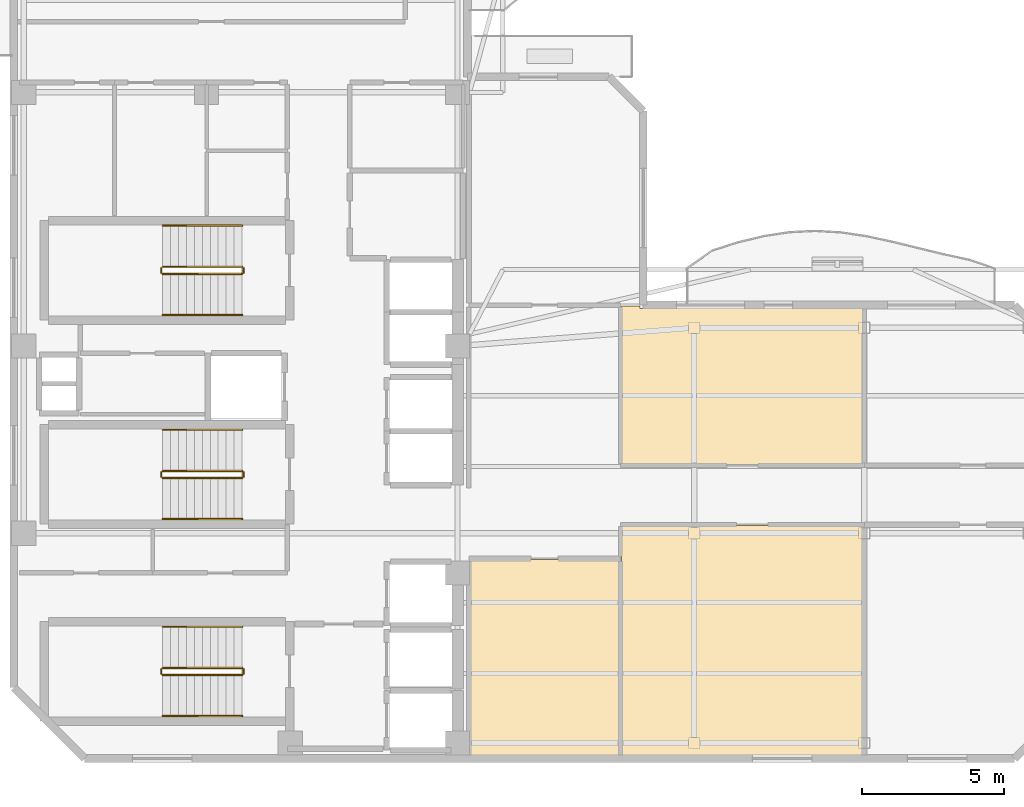
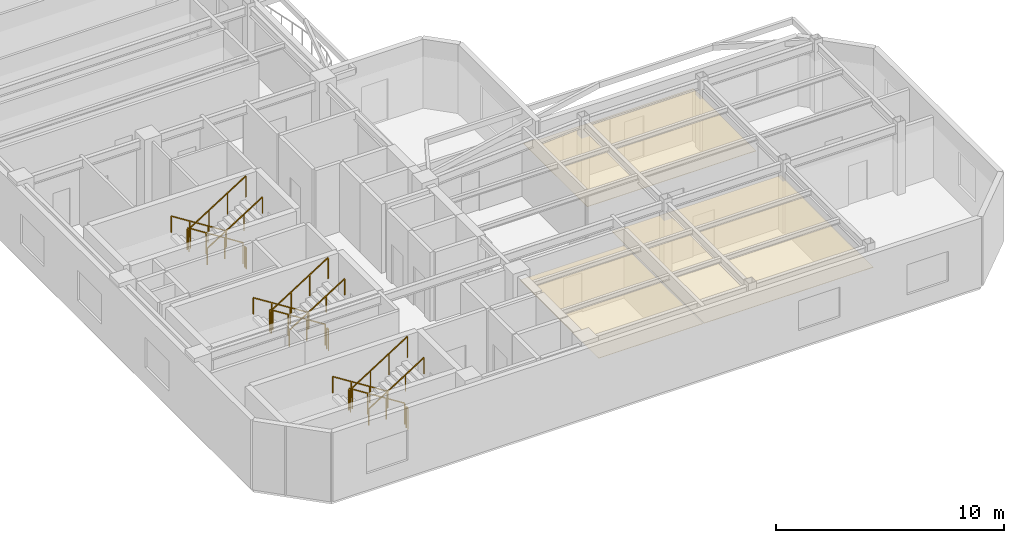
# One storey, part 6 of 8: 18 railings, 3 coverings.
"""IFC4 building model written with IfcOpenShell, lengths in metres."""

import ifcopenshell
import ifcopenshell.guid

model = None  # the IFC model being written
_history = None  # IfcOwnerHistory: only IFC2X3 demands one
_inside = {}  # id of a spatial element -> (the spatial element, [elements in it])
_under = {}  # id of a project, library or spatial element -> (it, [spatial elements below it])
_declared = {}  # id of a project -> (the project, [libraries it declares])
_typed = {}  # id of a type object -> (the type object, [elements of that type])
_made_of = {}  # id of a material, layer set ... -> (it, [elements and type objects made of it])


def new_model(schema):
    """Start an empty IFC model of exactly this schema.

    Asked for "IFC4X3", IfcOpenShell would pick the latest addendum, in which some entities
    have other attributes; the version numbers below select the first issue.
    IFC2X3 requires an IfcOwnerHistory on every rooted entity: one is made here for all.
    """
    global model, _history
    if schema == "IFC4X3":
        model = ifcopenshell.file(schema_version=(4, 3, 0, 0))
    else:
        model = ifcopenshell.file(schema=schema)
    _inside.clear()
    _under.clear()
    _declared.clear()
    _typed.clear()
    _made_of.clear()
    _history = None
    if model.schema == "IFC2X3":
        org = make("IfcOrganization", Name="unknown")
        user = make(
            "IfcPersonAndOrganization",
            ThePerson=make("IfcPerson", FamilyName="unknown"),
            TheOrganization=org,
        )
        app = make(
            "IfcApplication",
            ApplicationDeveloper=org,
            Version="unknown",
            ApplicationFullName="unknown",
            ApplicationIdentifier="unknown",
        )
        _history = make(
            "IfcOwnerHistory",
            OwningUser=user,
            OwningApplication=app,
            ChangeAction="ADDED",
            CreationDate=0,
        )
    return model


def make(cls, **values):
    """One entity of the class cls with the attributes given. An attribute that is None is left unset."""
    return model.create_entity(
        cls, **{name: value for name, value in values.items() if value is not None}
    )


def rooted(cls, **values):
    """An entity with a GlobalId (a new one), such as an element, a storey or a relation."""
    return make(cls, GlobalId=ifcopenshell.guid.new(), OwnerHistory=_history, **values)


def si_unit(unit_type, name, prefix=None):
    """IfcSIUnit, for example si_unit("LENGTHUNIT", "METRE", prefix="MILLI")."""
    return make("IfcSIUnit", UnitType=unit_type, Prefix=prefix, Name=name)


def assignment(units):
    """IfcUnitAssignment: the units of a project."""
    return None if units is None else make("IfcUnitAssignment", Units=units)


def point(xyz):
    """IfcCartesianPoint."""
    return None if xyz is None else make("IfcCartesianPoint", Coordinates=xyz)


def direction(xyz):
    """IfcDirection."""
    return None if xyz is None else make("IfcDirection", DirectionRatios=xyz)


def frame(location, z_axis=None, x_axis=None):
    """IfcAxis2Placement3D, a coordinate frame: its origin and axes. An axis left out is left unset."""
    return make(
        "IfcAxis2Placement3D",
        Location=point(location),
        Axis=direction(z_axis),
        RefDirection=direction(x_axis),
    )


def frame_2d(location, x_axis=None):
    """IfcAxis2Placement2D, a coordinate frame in the plane: its origin and x axis."""
    return make(
        "IfcAxis2Placement2D", Location=point(location), RefDirection=direction(x_axis)
    )


def origin():
    """The frame at (0, 0, 0) with its axes left unset."""
    return frame((0.0, 0.0, 0.0))


def origin_2d():
    """The frame at (0, 0) in the plane with its x axis left unset."""
    return frame_2d((0.0, 0.0))


def place(relative_to, where):
    """IfcLocalPlacement: puts the frame where relative to a parent placement (None: the world)."""
    return make(
        "IfcLocalPlacement", PlacementRelTo=relative_to, RelativePlacement=where
    )


def context(
    kind, dimensions, precision=None, world=None, true_north=None, identifier=None
):
    """IfcGeometricRepresentationContext, for example the 3D "Model" context."""
    return make(
        "IfcGeometricRepresentationContext",
        ContextIdentifier=identifier,
        ContextType=kind,
        CoordinateSpaceDimension=dimensions,
        Precision=precision,
        WorldCoordinateSystem=world,
        TrueNorth=true_north,
    )


def subcontext(parent, identifier, kind, view, scale=None):
    """IfcGeometricRepresentationSubContext, for example "Body" below "Model"."""
    return make(
        "IfcGeometricRepresentationSubContext",
        ContextIdentifier=identifier,
        ContextType=kind,
        ParentContext=parent,
        TargetScale=scale,
        TargetView=view,
    )


def project(units=None, contexts=None):
    """IfcProject with its units and contexts."""
    return rooted(
        "IfcProject",
        Name="project",
        RepresentationContexts=contexts,
        UnitsInContext=assignment(units),
    )


def spatial(cls, under=None, at=None, **own):
    """A site, building, storey or space (cls), placed at a placement, below another one or the project."""
    s = rooted(cls, ObjectPlacement=at, **own)
    if under is not None:
        _under.setdefault(under.id(), (under, []))[1].append(s)
    return s


def polyline(points):
    """IfcPolyline through the points."""
    return make("IfcPolyline", Points=[point(p) for p in points])


def profile(cls, at=None, kind="AREA", **sizes):
    """A parametric profile (cls). Its sizes go by their IFC names, for example OverallWidth=200.0."""
    return make(cls, ProfileType=kind, Position=at, **sizes)


def rectangle(**sizes):
    """IfcRectangleProfileDef."""
    return profile("IfcRectangleProfileDef", **sizes)


def outline(outer, holes=None, kind="AREA"):
    """IfcArbitraryClosedProfileDef: a profile drawn as a closed curve; with holes, ...WithVoids."""
    if holes is None:
        return make("IfcArbitraryClosedProfileDef", ProfileType=kind, OuterCurve=outer)
    return make(
        "IfcArbitraryProfileDefWithVoids",
        ProfileType=kind,
        OuterCurve=outer,
        InnerCurves=holes,
    )


def extrude(swept, where, along, depth):
    """IfcExtrudedAreaSolid: the profile swept, set in the frame where, extruded along a direction by depth."""
    return make(
        "IfcExtrudedAreaSolid",
        SweptArea=swept,
        Position=where,
        ExtrudedDirection=direction(along),
        Depth=depth,
    )


def shape(context_of_items, identifier, shape_type, items):
    """IfcShapeRepresentation: the items that make up one representation, for example the "Body"."""
    return make(
        "IfcShapeRepresentation",
        ContextOfItems=context_of_items,
        RepresentationIdentifier=identifier,
        RepresentationType=shape_type,
        Items=items,
    )


def material(Name=None, Category=None):
    """IfcMaterial."""
    return make("IfcMaterial", Name=Name, Category=Category)


def layer(
    of_material, thickness, ventilated=None, Name=None, Category=None, Priority=None
):
    """IfcMaterialLayer: one layer of a wall or slab, of a material (None: an air gap)."""
    return make(
        "IfcMaterialLayer",
        Material=of_material,
        LayerThickness=thickness,
        IsVentilated=ventilated,
        Name=Name,
        Category=Category,
        Priority=Priority,
    )


def layer_set(layers, Name=None):
    """IfcMaterialLayerSet."""
    return make("IfcMaterialLayerSet", MaterialLayers=layers, LayerSetName=Name)


def made_of(thing, what):
    """Note that an element or type object is made of a material, layer set ...; save() writes the relation."""
    if what is not None:
        _made_of.setdefault(what.id(), (what, []))[1].append(thing)
    return thing


def type_object(cls, material=None, **own):
    """A type object (cls), such as IfcWallType, which elements share."""
    return made_of(rooted(cls, **own), material)


def element(
    cls,
    number,
    at=None,
    inside=None,
    cuts=None,
    type_object=None,
    material=None,
    context=None,
    identifier="Body",
    shape_type=None,
    held_by="IfcProductDefinitionShape",
    body=None,
    shapes=None,
    **own,
):
    """One element of the class cls, such as IfcWall. Its Tag is "e" and its number.

    at: its placement. inside: the storey or other place that contains it. cuts: it is an
    opening in that element (IfcRelVoidsElement). A single representation is given by context,
    identifier, shape_type and body (its items); several are given by shapes. held_by: the class
    of the entity that holds the representations. save() writes the other relations.
    """
    e = rooted(cls, Tag="e%d" % number, ObjectPlacement=at, **own)
    if body is not None:
        shapes = [shape(context, identifier, shape_type, body)]
    if shapes is not None:
        e.Representation = make(held_by, Representations=shapes)
    if inside is not None:
        _inside.setdefault(inside.id(), (inside, []))[1].append(e)
    if cuts is not None:
        rooted(
            "IfcRelVoidsElement", RelatingBuildingElement=cuts, RelatedOpeningElement=e
        )
    if type_object is not None:
        _typed.setdefault(type_object.id(), (type_object, []))[1].append(e)
    return made_of(e, material)


def aggregate(whole, parts):
    """IfcRelAggregates: a whole, such as a stair, and the parts it consists of."""
    return rooted("IfcRelAggregates", RelatingObject=whole, RelatedObjects=parts)


def save(model, path):
    """Write the relations noted so far, then the file.

    IfcRelAggregates (storeys below a building ...), IfcRelContainedInSpatialStructure (elements
    in a storey), IfcRelDefinesByType, IfcRelAssociatesMaterial and IfcRelDeclares: one each for
    every whole, place, type object, material and project.
    """
    for whole, parts in _under.values():
        aggregate(whole, parts)
    for where, things in _inside.values():
        rooted(
            "IfcRelContainedInSpatialStructure",
            RelatedElements=things,
            RelatingStructure=where,
        )
    for kind, things in _typed.values():
        rooted("IfcRelDefinesByType", RelatedObjects=things, RelatingType=kind)
    for what, things in _made_of.values():
        rooted("IfcRelAssociatesMaterial", RelatedObjects=things, RelatingMaterial=what)
    for by, libraries in _declared.values():
        rooted("IfcRelDeclares", RelatingContext=by, RelatedDefinitions=libraries)
    model.write(path)


model = new_model("IFC4")

# Units and contexts
model_context = context("Model", 3, precision=1e-05, world=origin(), true_north=direction((0.0, 1.0)))
body_context = subcontext(model_context, "Body", "Model", "MODEL_VIEW")
ifc_project = project(units=[si_unit("LENGTHUNIT", "METRE"), si_unit("AREAUNIT", "SQUARE_METRE"), si_unit("VOLUMEUNIT", "CUBIC_METRE"), si_unit("PLANEANGLEUNIT", "RADIAN"), si_unit("MASSUNIT", "GRAM", prefix="KILO")], contexts=[model_context])

# Site, building, storey
site_placement = place(None, origin())
site = spatial("IfcSite", under=ifc_project, at=site_placement, CompositionType="ELEMENT")
building_placement = place(site_placement, origin())
building = spatial("IfcBuilding", under=site, at=building_placement, Name="Mawjaban Terraces University", CompositionType="ELEMENT")
storey_placement = place(building_placement, frame((0.0, 0.0, 259.89990234375)))
storey = spatial("IfcBuildingStorey", under=building, at=storey_placement, Name="L63", CompositionType="ELEMENT", Elevation=259.89990234375)

# Coverings
ifc_material_1 = material(Name="Acoustic mineral fibre ceiling tile", Category="masonry")
ifc_layer = layer(ifc_material_1, 0.02001953125)
ifc_layer_set = layer_set([ifc_layer], Name="Acoustic mineral fibre ceiling tile")
covering_type = type_object("IfcCoveringType", Name="AcousticMineralCeiling_20", PredefinedType="CEILING", material=ifc_layer_set)
covering_1_placement = place(storey_placement, frame((0.0, 0.0, 2.75)))
element("IfcCovering", 1, at=covering_1_placement, inside=storey, type_object=covering_type, Name="L63 Design Studio 1 Acoustic Ceiling", PredefinedType="CEILING", context=body_context, shape_type="SweptSolid", body=[
    extrude(outline(polyline([(38.080078125, 7.02001953125), (38.080078125, 0.114990234375), (43.3701171875, 0.114990234375), (43.3701171875, 7.02001953125), (38.080078125, 7.02001953125)])), origin(), (0.0, 0.0, 1.0), 0.02001953125),
])
covering_2_placement = place(storey_placement, frame((0.0, 0.0, 2.75)))
element("IfcCovering", 2, at=covering_2_placement, inside=storey, type_object=covering_type, Name="L63 Computational Laboratory 2 Acoustic Ceiling", PredefinedType="CEILING", context=body_context, shape_type="SweptSolid", body=[
    extrude(outline(polyline([(43.429931640625, 0.114990234375), (51.969970703125, 0.114990234375), (51.969970703125, 8.219970703125), (43.429931640625, 8.219970703125), (43.429931640625, 0.114990234375)])), origin(), (0.0, 0.0, 1.0), 0.02001953125),
])
covering_3_placement = place(storey_placement, frame((0.0, 0.0, 2.75)))
element("IfcCovering", 3, at=covering_3_placement, inside=storey, type_object=covering_type, Name="L63 Teaching Laboratory 3 Acoustic Ceiling", PredefinedType="CEILING", context=body_context, shape_type="SweptSolid", body=[
    extrude(outline(polyline([(51.969970703125, 15.885009765625), (44.0849609375, 15.885009765625), (44.0849609375, 15.969970703125), (43.429931640625, 15.969970703125), (43.429931640625, 10.3798828125), (51.969970703125, 10.3798828125), (51.969970703125, 15.885009765625)])), origin(), (0.0, 0.0, 1.0), 0.02001953125),
])

# Railings
ifc_material_2 = material(Name="Brushed stainless steel 316", Category="steel")
railing_type_1 = type_object("IfcRailingType", Name="StairWallHandrail_900", PredefinedType="HANDRAIL", material=ifc_material_2)
railing_1_placement = place(storey_placement, frame((30.050048828125, 4.64990234375, 0.177490234375)))
element("IfcRailing", 4, at=railing_1_placement, inside=storey, type_object=railing_type_1, Name="L63 ST-1 stair handrail 1", PredefinedType="HANDRAIL", context=body_context, shape_type="SweptSolid", body=[
    extrude(rectangle(XDim=0.048095703125, YDim=0.048095703125, at=origin_2d()), frame((0.0, 0.0, 0.8759765625), z_axis=(-0.844908973607, 0.0, 0.534910110503), x_axis=(0.0, -1.0, 0.0)), (0.0, 0.0, 1.0), 3.31396484375),
    extrude(rectangle(XDim=0.0419921875, YDim=0.0419921875, at=origin_2d()), origin(), (0.0, 0.0, 1.0), 0.851806640625),
    extrude(rectangle(XDim=0.0419921875, YDim=0.0419921875, at=origin_2d()), frame((-0.933349609375, 0.0, 0.5908203125)), (0.0, 0.0, 1.0), 0.851806640625),
    extrude(rectangle(XDim=0.0419921875, YDim=0.0419921875, at=origin_2d()), frame((-1.86669921875, 0.0, 1.181884765625)), (0.0, 0.0, 1.0), 0.851806640625),
    extrude(rectangle(XDim=0.0419921875, YDim=0.0419921875, at=origin_2d()), frame((-2.800048828125, 0.0, 1.772705078125)), (0.0, 0.0, 1.0), 0.851806640625),
])
railing_2_placement = place(storey_placement, frame((27.25, 1.5, 2.12744140625)))
element("IfcRailing", 5, at=railing_2_placement, inside=storey, type_object=railing_type_1, Name="L63 ST-1 stair handrail 2", PredefinedType="HANDRAIL", context=body_context, shape_type="SweptSolid", body=[
    extrude(rectangle(XDim=0.048095703125, YDim=0.048095703125, at=origin_2d()), frame((0.0, 0.0, 0.8759765625), z_axis=(0.844908973607, 0.0, 0.534910110503), x_axis=(0.0, 1.0, 0.0)), (0.0, 0.0, 1.0), 3.31396484375),
    extrude(rectangle(XDim=0.0419921875, YDim=0.0419921875, at=origin_2d()), origin(), (0.0, 0.0, 1.0), 0.851806640625),
    extrude(rectangle(XDim=0.0419921875, YDim=0.0419921875, at=origin_2d()), frame((0.933349609375, 0.0, 0.5908203125)), (0.0, 0.0, 1.0), 0.851806640625),
    extrude(rectangle(XDim=0.0419921875, YDim=0.0419921875, at=origin_2d()), frame((1.86669921875, 0.0, 1.181884765625)), (0.0, 0.0, 1.0), 0.851806640625),
    extrude(rectangle(XDim=0.0419921875, YDim=0.0419921875, at=origin_2d()), frame((2.800048828125, 0.0, 1.772705078125)), (0.0, 0.0, 1.0), 0.851806640625),
])
railing_3_placement = place(storey_placement, frame((30.050048828125, 18.800048828125, 0.177490234375)))
element("IfcRailing", 6, at=railing_3_placement, inside=storey, type_object=railing_type_1, Name="L63 ST-2 stair handrail 1", PredefinedType="HANDRAIL", context=body_context, shape_type="SweptSolid", body=[
    extrude(rectangle(XDim=0.048095703125, YDim=0.048095703125, at=origin_2d()), frame((0.0, 0.0, 0.8759765625), z_axis=(-0.844908973607, 0.0, 0.534910110503), x_axis=(0.0, -1.0, 0.0)), (0.0, 0.0, 1.0), 3.31396484375),
    extrude(rectangle(XDim=0.0419921875, YDim=0.0419921875, at=origin_2d()), origin(), (0.0, 0.0, 1.0), 0.851806640625),
    extrude(rectangle(XDim=0.0419921875, YDim=0.0419921875, at=origin_2d()), frame((-0.933349609375, 0.0, 0.5908203125)), (0.0, 0.0, 1.0), 0.851806640625),
    extrude(rectangle(XDim=0.0419921875, YDim=0.0419921875, at=origin_2d()), frame((-1.86669921875, 0.0, 1.181884765625)), (0.0, 0.0, 1.0), 0.851806640625),
    extrude(rectangle(XDim=0.0419921875, YDim=0.0419921875, at=origin_2d()), frame((-2.800048828125, 0.0, 1.772705078125)), (0.0, 0.0, 1.0), 0.851806640625),
])
railing_4_placement = place(storey_placement, frame((27.25, 15.64990234375, 2.12744140625)))
element("IfcRailing", 7, at=railing_4_placement, inside=storey, type_object=railing_type_1, Name="L63 ST-2 stair handrail 2", PredefinedType="HANDRAIL", context=body_context, shape_type="SweptSolid", body=[
    extrude(rectangle(XDim=0.048095703125, YDim=0.048095703125, at=origin_2d()), frame((0.0, 0.0, 0.8759765625), z_axis=(0.844908973607, 0.0, 0.534910110503), x_axis=(0.0, 1.0, 0.0)), (0.0, 0.0, 1.0), 3.31396484375),
    extrude(rectangle(XDim=0.0419921875, YDim=0.0419921875, at=origin_2d()), origin(), (0.0, 0.0, 1.0), 0.851806640625),
    extrude(rectangle(XDim=0.0419921875, YDim=0.0419921875, at=origin_2d()), frame((0.933349609375, 0.0, 0.5908203125)), (0.0, 0.0, 1.0), 0.851806640625),
    extrude(rectangle(XDim=0.0419921875, YDim=0.0419921875, at=origin_2d()), frame((1.86669921875, 0.0, 1.181884765625)), (0.0, 0.0, 1.0), 0.851806640625),
    extrude(rectangle(XDim=0.0419921875, YDim=0.0419921875, at=origin_2d()), frame((2.800048828125, 0.0, 1.772705078125)), (0.0, 0.0, 1.0), 0.851806640625),
])
railing_5_placement = place(storey_placement, frame((30.050048828125, 11.60009765625, 0.177490234375)))
element("IfcRailing", 8, at=railing_5_placement, inside=storey, type_object=railing_type_1, Name="L63 ST-3 stair handrail 1", PredefinedType="HANDRAIL", context=body_context, shape_type="SweptSolid", body=[
    extrude(rectangle(XDim=0.048095703125, YDim=0.048095703125, at=origin_2d()), frame((0.0, 0.0, 0.8759765625), z_axis=(-0.844908973607, 0.0, 0.534910110503), x_axis=(0.0, -1.0, 0.0)), (0.0, 0.0, 1.0), 3.31396484375),
    extrude(rectangle(XDim=0.0419921875, YDim=0.0419921875, at=origin_2d()), origin(), (0.0, 0.0, 1.0), 0.851806640625),
    extrude(rectangle(XDim=0.0419921875, YDim=0.0419921875, at=origin_2d()), frame((-0.933349609375, 0.0, 0.5908203125)), (0.0, 0.0, 1.0), 0.851806640625),
    extrude(rectangle(XDim=0.0419921875, YDim=0.0419921875, at=origin_2d()), frame((-1.86669921875, 0.0, 1.181884765625)), (0.0, 0.0, 1.0), 0.851806640625),
    extrude(rectangle(XDim=0.0419921875, YDim=0.0419921875, at=origin_2d()), frame((-2.800048828125, 0.0, 1.772705078125)), (0.0, 0.0, 1.0), 0.851806640625),
])
railing_6_placement = place(storey_placement, frame((27.25, 8.449951171875, 2.12744140625)))
element("IfcRailing", 9, at=railing_6_placement, inside=storey, type_object=railing_type_1, Name="L63 ST-3 stair handrail 2", PredefinedType="HANDRAIL", context=body_context, shape_type="SweptSolid", body=[
    extrude(rectangle(XDim=0.048095703125, YDim=0.048095703125, at=origin_2d()), frame((0.0, 0.0, 0.8759765625), z_axis=(0.844908973607, 0.0, 0.534910110503), x_axis=(0.0, 1.0, 0.0)), (0.0, 0.0, 1.0), 3.31396484375),
    extrude(rectangle(XDim=0.0419921875, YDim=0.0419921875, at=origin_2d()), origin(), (0.0, 0.0, 1.0), 0.851806640625),
    extrude(rectangle(XDim=0.0419921875, YDim=0.0419921875, at=origin_2d()), frame((0.933349609375, 0.0, 0.5908203125)), (0.0, 0.0, 1.0), 0.851806640625),
    extrude(rectangle(XDim=0.0419921875, YDim=0.0419921875, at=origin_2d()), frame((1.86669921875, 0.0, 1.181884765625)), (0.0, 0.0, 1.0), 0.851806640625),
    extrude(rectangle(XDim=0.0419921875, YDim=0.0419921875, at=origin_2d()), frame((2.800048828125, 0.0, 1.772705078125)), (0.0, 0.0, 1.0), 0.851806640625),
])
ifc_material_3 = material(Name="Galvanised painted steel S355", Category="steel")
railing_type_2 = type_object("IfcRailingType", Name="StairWellGuard_1150", PredefinedType="BALUSTRADE", material=ifc_material_3)
railing_7_placement = place(storey_placement, frame((30.050048828125, 3.199951171875, 0.177490234375)))
element("IfcRailing", 10, at=railing_7_placement, inside=storey, type_object=railing_type_2, Name="L63 ST-1 stair guard 1", PredefinedType="BALUSTRADE", context=body_context, shape_type="SweptSolid", body=[
    extrude(rectangle(XDim=0.048095703125, YDim=0.048095703125, at=origin_2d()), frame((0.0, 0.0, 1.1259765625), z_axis=(-0.844908973607, 0.0, 0.534910110503), x_axis=(0.0, -1.0, 0.0)), (0.0, 0.0, 1.0), 3.31396484375),
    extrude(rectangle(XDim=0.0419921875, YDim=0.0419921875, at=origin_2d()), origin(), (0.0, 0.0, 1.0), 1.101806640625),
    extrude(rectangle(XDim=0.0419921875, YDim=0.0419921875, at=origin_2d()), frame((-0.933349609375, 0.0, 0.5908203125)), (0.0, 0.0, 1.0), 1.101806640625),
    extrude(rectangle(XDim=0.0419921875, YDim=0.0419921875, at=origin_2d()), frame((-1.86669921875, 0.0, 1.181884765625)), (0.0, 0.0, 1.0), 1.101806640625),
    extrude(rectangle(XDim=0.0419921875, YDim=0.0419921875, at=origin_2d()), frame((-2.800048828125, 0.0, 1.772705078125)), (0.0, 0.0, 1.0), 1.101806640625),
])
railing_8_placement = place(storey_placement, frame((27.199951171875, 3.14990234375, 1.9501953125)))
element("IfcRailing", 11, at=railing_8_placement, inside=storey, type_object=railing_type_2, Name="L63 ST-1 stair guard 2", PredefinedType="BALUSTRADE", context=body_context, shape_type="SweptSolid", body=[
    extrude(rectangle(XDim=0.048095703125, YDim=0.048095703125, at=origin_2d()), frame((0.0, 0.0, 1.1259765625), z_axis=(0.0, -1.0, 0.0), x_axis=(1.0, 0.0, 0.0)), (0.0, 0.0, 1.0), 0.14990234375),
    extrude(rectangle(XDim=0.0419921875, YDim=0.0419921875, at=origin_2d()), origin(), (0.0, 0.0, 1.0), 1.101806640625),
    extrude(rectangle(XDim=0.0419921875, YDim=0.0419921875, at=origin_2d()), frame((0.0, -0.14990234375, 0.0)), (0.0, 0.0, 1.0), 1.101806640625),
])
railing_9_placement = place(storey_placement, frame((27.25, 2.949951171875, 2.12744140625)))
element("IfcRailing", 12, at=railing_9_placement, inside=storey, type_object=railing_type_2, Name="L63 ST-1 stair guard 3", PredefinedType="BALUSTRADE", context=body_context, shape_type="SweptSolid", body=[
    extrude(rectangle(XDim=0.048095703125, YDim=0.048095703125, at=origin_2d()), frame((0.0, 0.0, 1.1259765625), z_axis=(0.844908973607, 0.0, 0.534910110503), x_axis=(0.0, 1.0, 0.0)), (0.0, 0.0, 1.0), 3.31396484375),
    extrude(rectangle(XDim=0.0419921875, YDim=0.0419921875, at=origin_2d()), origin(), (0.0, 0.0, 1.0), 1.101806640625),
    extrude(rectangle(XDim=0.0419921875, YDim=0.0419921875, at=origin_2d()), frame((0.933349609375, 0.0, 0.5908203125)), (0.0, 0.0, 1.0), 1.101806640625),
    extrude(rectangle(XDim=0.0419921875, YDim=0.0419921875, at=origin_2d()), frame((1.86669921875, 0.0, 1.181884765625)), (0.0, 0.0, 1.0), 1.101806640625),
    extrude(rectangle(XDim=0.0419921875, YDim=0.0419921875, at=origin_2d()), frame((2.800048828125, 0.0, 1.772705078125)), (0.0, 0.0, 1.0), 1.101806640625),
])
railing_10_placement = place(storey_placement, frame((30.10009765625, 3.14990234375, 0.0)))
element("IfcRailing", 13, at=railing_10_placement, inside=storey, type_object=railing_type_2, Name="L63 ST-1 stair guard 4", PredefinedType="BALUSTRADE", context=body_context, shape_type="SweptSolid", body=[
    extrude(rectangle(XDim=0.048095703125, YDim=0.048095703125, at=origin_2d()), frame((0.0, 0.0, 1.1259765625), z_axis=(0.0, -1.0, 0.0), x_axis=(1.0, 0.0, 0.0)), (0.0, 0.0, 1.0), 0.14990234375),
    extrude(rectangle(XDim=0.0419921875, YDim=0.0419921875, at=origin_2d()), origin(), (0.0, 0.0, 1.0), 1.101806640625),
    extrude(rectangle(XDim=0.0419921875, YDim=0.0419921875, at=origin_2d()), frame((0.0, -0.14990234375, 0.0)), (0.0, 0.0, 1.0), 1.101806640625),
])
railing_11_placement = place(storey_placement, frame((30.050048828125, 17.35009765625, 0.177490234375)))
element("IfcRailing", 14, at=railing_11_placement, inside=storey, type_object=railing_type_2, Name="L63 ST-2 stair guard 1", PredefinedType="BALUSTRADE", context=body_context, shape_type="SweptSolid", body=[
    extrude(rectangle(XDim=0.048095703125, YDim=0.048095703125, at=origin_2d()), frame((0.0, 0.0, 1.1259765625), z_axis=(-0.844908973607, 0.0, 0.534910110503), x_axis=(0.0, -1.0, 0.0)), (0.0, 0.0, 1.0), 3.31396484375),
    extrude(rectangle(XDim=0.0419921875, YDim=0.0419921875, at=origin_2d()), origin(), (0.0, 0.0, 1.0), 1.101806640625),
    extrude(rectangle(XDim=0.0419921875, YDim=0.0419921875, at=origin_2d()), frame((-0.933349609375, 0.0, 0.5908203125)), (0.0, 0.0, 1.0), 1.101806640625),
    extrude(rectangle(XDim=0.0419921875, YDim=0.0419921875, at=origin_2d()), frame((-1.86669921875, 0.0, 1.181884765625)), (0.0, 0.0, 1.0), 1.101806640625),
    extrude(rectangle(XDim=0.0419921875, YDim=0.0419921875, at=origin_2d()), frame((-2.800048828125, 0.0, 1.772705078125)), (0.0, 0.0, 1.0), 1.101806640625),
])
railing_12_placement = place(storey_placement, frame((27.199951171875, 17.300048828125, 1.9501953125)))
element("IfcRailing", 15, at=railing_12_placement, inside=storey, type_object=railing_type_2, Name="L63 ST-2 stair guard 2", PredefinedType="BALUSTRADE", context=body_context, shape_type="SweptSolid", body=[
    extrude(rectangle(XDim=0.048095703125, YDim=0.048095703125, at=origin_2d()), frame((0.0, 0.0, 1.1259765625), z_axis=(0.0, -1.0, 0.0), x_axis=(1.0, 0.0, 0.0)), (0.0, 0.0, 1.0), 0.150146484375),
    extrude(rectangle(XDim=0.0419921875, YDim=0.0419921875, at=origin_2d()), origin(), (0.0, 0.0, 1.0), 1.101806640625),
    extrude(rectangle(XDim=0.0419921875, YDim=0.0419921875, at=origin_2d()), frame((0.0, -0.150146484375, 0.0)), (0.0, 0.0, 1.0), 1.101806640625),
])
railing_13_placement = place(storey_placement, frame((27.25, 17.10009765625, 2.12744140625)))
element("IfcRailing", 16, at=railing_13_placement, inside=storey, type_object=railing_type_2, Name="L63 ST-2 stair guard 3", PredefinedType="BALUSTRADE", context=body_context, shape_type="SweptSolid", body=[
    extrude(rectangle(XDim=0.048095703125, YDim=0.048095703125, at=origin_2d()), frame((0.0, 0.0, 1.1259765625), z_axis=(0.844908973607, 0.0, 0.534910110503), x_axis=(0.0, 1.0, 0.0)), (0.0, 0.0, 1.0), 3.31396484375),
    extrude(rectangle(XDim=0.0419921875, YDim=0.0419921875, at=origin_2d()), origin(), (0.0, 0.0, 1.0), 1.101806640625),
    extrude(rectangle(XDim=0.0419921875, YDim=0.0419921875, at=origin_2d()), frame((0.933349609375, 0.0, 0.5908203125)), (0.0, 0.0, 1.0), 1.101806640625),
    extrude(rectangle(XDim=0.0419921875, YDim=0.0419921875, at=origin_2d()), frame((1.86669921875, 0.0, 1.181884765625)), (0.0, 0.0, 1.0), 1.101806640625),
    extrude(rectangle(XDim=0.0419921875, YDim=0.0419921875, at=origin_2d()), frame((2.800048828125, 0.0, 1.772705078125)), (0.0, 0.0, 1.0), 1.101806640625),
])
railing_14_placement = place(storey_placement, frame((30.10009765625, 17.300048828125, 0.0)))
element("IfcRailing", 17, at=railing_14_placement, inside=storey, type_object=railing_type_2, Name="L63 ST-2 stair guard 4", PredefinedType="BALUSTRADE", context=body_context, shape_type="SweptSolid", body=[
    extrude(rectangle(XDim=0.048095703125, YDim=0.048095703125, at=origin_2d()), frame((0.0, 0.0, 1.1259765625), z_axis=(0.0, -1.0, 0.0), x_axis=(1.0, 0.0, 0.0)), (0.0, 0.0, 1.0), 0.150146484375),
    extrude(rectangle(XDim=0.0419921875, YDim=0.0419921875, at=origin_2d()), origin(), (0.0, 0.0, 1.0), 1.101806640625),
    extrude(rectangle(XDim=0.0419921875, YDim=0.0419921875, at=origin_2d()), frame((0.0, -0.150146484375, 0.0)), (0.0, 0.0, 1.0), 1.101806640625),
])
railing_15_placement = place(storey_placement, frame((30.050048828125, 10.14990234375, 0.177490234375)))
element("IfcRailing", 18, at=railing_15_placement, inside=storey, type_object=railing_type_2, Name="L63 ST-3 stair guard 1", PredefinedType="BALUSTRADE", context=body_context, shape_type="SweptSolid", body=[
    extrude(rectangle(XDim=0.048095703125, YDim=0.048095703125, at=origin_2d()), frame((0.0, 0.0, 1.1259765625), z_axis=(-0.844908973607, 0.0, 0.534910110503), x_axis=(0.0, -1.0, 0.0)), (0.0, 0.0, 1.0), 3.31396484375),
    extrude(rectangle(XDim=0.0419921875, YDim=0.0419921875, at=origin_2d()), origin(), (0.0, 0.0, 1.0), 1.101806640625),
    extrude(rectangle(XDim=0.0419921875, YDim=0.0419921875, at=origin_2d()), frame((-0.933349609375, 0.0, 0.5908203125)), (0.0, 0.0, 1.0), 1.101806640625),
    extrude(rectangle(XDim=0.0419921875, YDim=0.0419921875, at=origin_2d()), frame((-1.86669921875, 0.0, 1.181884765625)), (0.0, 0.0, 1.0), 1.101806640625),
    extrude(rectangle(XDim=0.0419921875, YDim=0.0419921875, at=origin_2d()), frame((-2.800048828125, 0.0, 1.772705078125)), (0.0, 0.0, 1.0), 1.101806640625),
])
railing_16_placement = place(storey_placement, frame((27.199951171875, 10.10009765625, 1.9501953125)))
element("IfcRailing", 19, at=railing_16_placement, inside=storey, type_object=railing_type_2, Name="L63 ST-3 stair guard 2", PredefinedType="BALUSTRADE", context=body_context, shape_type="SweptSolid", body=[
    extrude(rectangle(XDim=0.048095703125, YDim=0.048095703125, at=origin_2d()), frame((0.0, 0.0, 1.1259765625), z_axis=(0.0, -1.0, 0.0), x_axis=(1.0, 0.0, 0.0)), (0.0, 0.0, 1.0), 0.150146484375),
    extrude(rectangle(XDim=0.0419921875, YDim=0.0419921875, at=origin_2d()), origin(), (0.0, 0.0, 1.0), 1.101806640625),
    extrude(rectangle(XDim=0.0419921875, YDim=0.0419921875, at=origin_2d()), frame((0.0, -0.150146484375, 0.0)), (0.0, 0.0, 1.0), 1.101806640625),
])
railing_17_placement = place(storey_placement, frame((27.25, 9.89990234375, 2.12744140625)))
element("IfcRailing", 20, at=railing_17_placement, inside=storey, type_object=railing_type_2, Name="L63 ST-3 stair guard 3", PredefinedType="BALUSTRADE", context=body_context, shape_type="SweptSolid", body=[
    extrude(rectangle(XDim=0.048095703125, YDim=0.048095703125, at=origin_2d()), frame((0.0, 0.0, 1.1259765625), z_axis=(0.844908973607, 0.0, 0.534910110503), x_axis=(0.0, 1.0, 0.0)), (0.0, 0.0, 1.0), 3.31396484375),
    extrude(rectangle(XDim=0.0419921875, YDim=0.0419921875, at=origin_2d()), origin(), (0.0, 0.0, 1.0), 1.101806640625),
    extrude(rectangle(XDim=0.0419921875, YDim=0.0419921875, at=origin_2d()), frame((0.933349609375, 0.0, 0.5908203125)), (0.0, 0.0, 1.0), 1.101806640625),
    extrude(rectangle(XDim=0.0419921875, YDim=0.0419921875, at=origin_2d()), frame((1.86669921875, 0.0, 1.181884765625)), (0.0, 0.0, 1.0), 1.101806640625),
    extrude(rectangle(XDim=0.0419921875, YDim=0.0419921875, at=origin_2d()), frame((2.800048828125, 0.0, 1.772705078125)), (0.0, 0.0, 1.0), 1.101806640625),
])
railing_18_placement = place(storey_placement, frame((30.10009765625, 10.10009765625, 0.0)))
element("IfcRailing", 21, at=railing_18_placement, inside=storey, type_object=railing_type_2, Name="L63 ST-3 stair guard 4", PredefinedType="BALUSTRADE", context=body_context, shape_type="SweptSolid", body=[
    extrude(rectangle(XDim=0.048095703125, YDim=0.048095703125, at=origin_2d()), frame((0.0, 0.0, 1.1259765625), z_axis=(0.0, -1.0, 0.0), x_axis=(1.0, 0.0, 0.0)), (0.0, 0.0, 1.0), 0.150146484375),
    extrude(rectangle(XDim=0.0419921875, YDim=0.0419921875, at=origin_2d()), origin(), (0.0, 0.0, 1.0), 1.101806640625),
    extrude(rectangle(XDim=0.0419921875, YDim=0.0419921875, at=origin_2d()), frame((0.0, -0.150146484375, 0.0)), (0.0, 0.0, 1.0), 1.101806640625),
])

save(model, "model.ifc")
